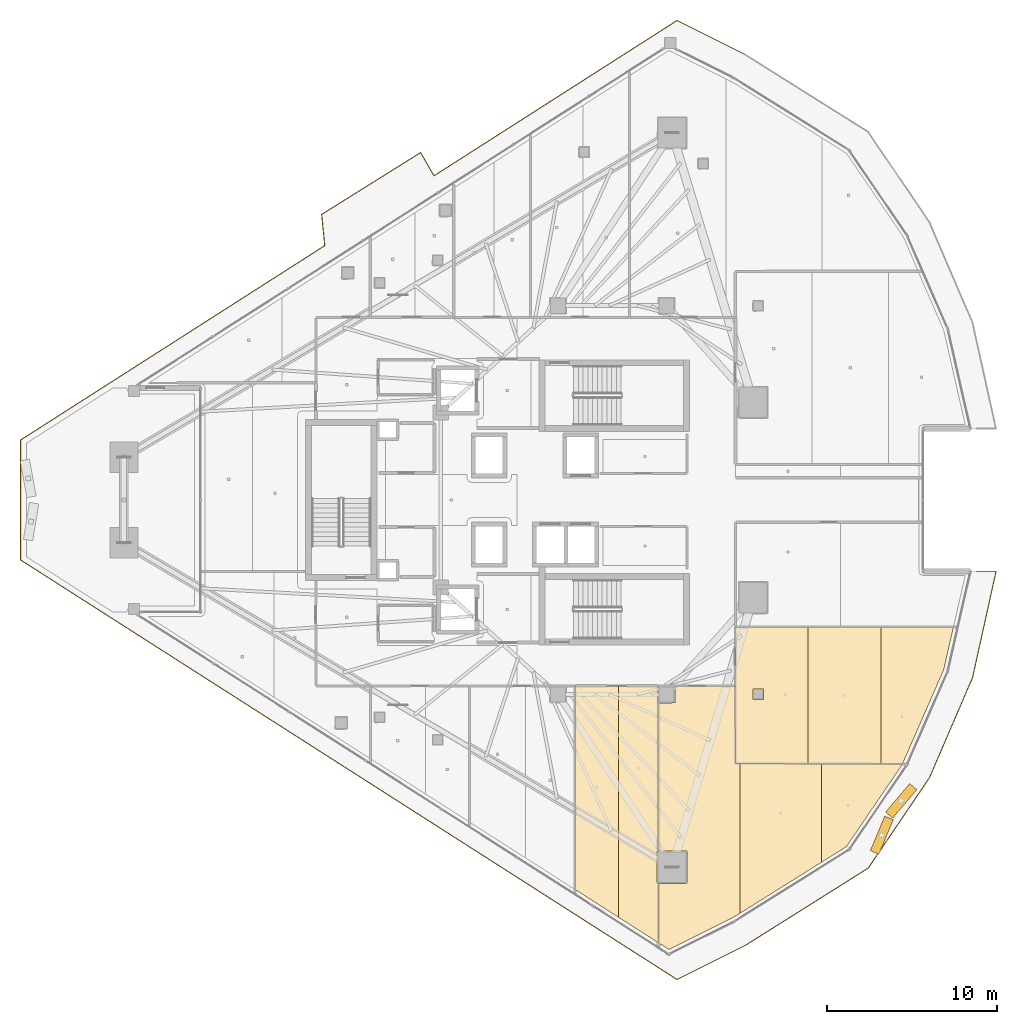
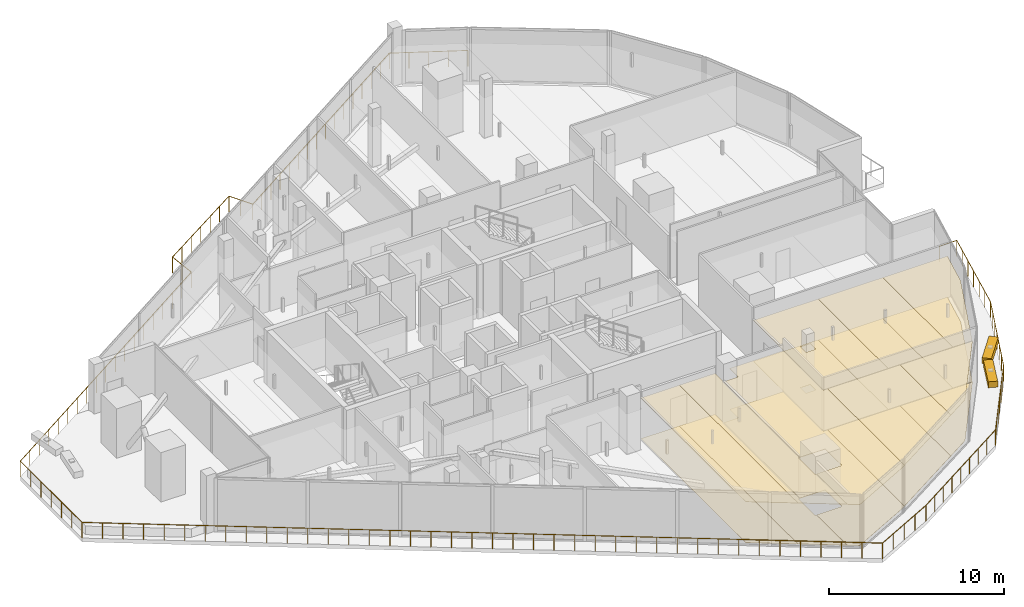
# One storey, part 37 of 40: 16 coverings, 2 shading devices, 1 railing.
"""IFC4 building model written with IfcOpenShell, lengths in metres."""

from ifc_helpers import new_model, si_unit, direction, frame, origin, origin_2d, place, context, subcontext, project, spatial, polyline, rectangle, circle, outline, extrude, material, layer, layer_set, type_object, element, save


model = new_model("IFC4")

# Units and contexts
model_context = context("Model", 3, precision=1e-05, world=origin(), true_north=direction((0.0, 1.0)))
body_context = subcontext(model_context, "Body", "Model", "MODEL_VIEW")
ifc_project = project(units=[si_unit("LENGTHUNIT", "METRE"), si_unit("AREAUNIT", "SQUARE_METRE"), si_unit("VOLUMEUNIT", "CUBIC_METRE"), si_unit("PLANEANGLEUNIT", "RADIAN"), si_unit("MASSUNIT", "GRAM", prefix="KILO")], contexts=[model_context])

# Site, building, storey
site_placement = place(None, origin())
site = spatial("IfcSite", under=ifc_project, at=site_placement, CompositionType="ELEMENT")
building_placement = place(site_placement, origin())
building = spatial("IfcBuilding", under=site, at=building_placement, Name="Qorvath Tower", CompositionType="ELEMENT")
storey_placement = place(building_placement, frame((0.0, 0.0, 225.300048828125)))
storey = spatial("IfcBuildingStorey", under=building, at=storey_placement, Name="L52", CompositionType="ELEMENT", Elevation=225.300048828125)

# Coverings
ifc_material_1 = material(Name="Acoustic mineral fibre ceiling tile", Category="gypsum")
ifc_layer_1 = layer(ifc_material_1, 0.030029296875)
ifc_layer_set_1 = layer_set([ifc_layer_1], Name="COV-CEIL")
covering_type_1 = type_object("IfcCoveringType", Name="COV-CEIL", PredefinedType="CEILING", material=ifc_layer_set_1)
covering_1_placement = place(storey_placement, frame((0.0, 0.0, 2.849853515625)))
element("IfcCovering", 1, at=covering_1_placement, inside=storey, type_object=covering_type_1, Name="L52 Suspended Acoustic Ceiling 025", PredefinedType="CEILING", context=body_context, shape_type="SweptSolid", body=[
    extrude(outline(polyline([(-20.04345703125, -24.574951171875), (-20.04345703125, -10.962890625), (-22.573974609375, -10.962890625), (-22.573974609375, -22.95751953125), (-20.04345703125, -24.574951171875)])), origin(), (0.0, 0.0, 1.0), 0.030029296875),
])
covering_2_placement = place(storey_placement, frame((0.0, 0.0, 2.849853515625)))
element("IfcCovering", 2, at=covering_2_placement, inside=storey, type_object=covering_type_1, Name="L52 Suspended Acoustic Ceiling 026", PredefinedType="CEILING", context=body_context, shape_type="SweptSolid", body=[
    extrude(outline(polyline([(-17.69677734375, -20.6669921875), (-17.694580078125, -10.962890625), (-20.04345703125, -10.962890625), (-20.04345703125, -24.574951171875), (-17.680908203125, -26.0849609375), (-17.680908203125, -22.587158203125), (-17.756591796875, -22.527099609375), (-17.756591796875, -20.72705078125), (-17.69677734375, -20.6669921875)])), origin(), (0.0, 0.0, 1.0), 0.030029296875),
])
covering_3_placement = place(storey_placement, frame((0.0, 0.0, 2.849853515625)))
element("IfcCovering", 3, at=covering_3_placement, inside=storey, type_object=covering_type_1, Name="L52 Suspended Acoustic Ceiling 027", PredefinedType="CEILING", context=body_context, shape_type="SweptSolid", body=[
    extrude(outline(polyline([(-17.662841796875, -26.096435546875), (-17.0595703125, -26.482177734375), (-13.141845703125, -24.517333984375), (-12.87109375, -24.347900390625), (-12.87109375, -15.5341796875), (-13.14990234375, -15.53369140625), (-13.155029296875, -10.962890625), (-16.705322265625, -10.962890625), (-16.70751953125, -11.9423828125), (-17.662841796875, -11.95458984375), (-17.662841796875, -20.6669921875), (-16.00439453125, -20.6845703125), (-15.98681640625, -22.527099609375), (-16.046630859375, -22.587158203125), (-17.662841796875, -22.587158203125), (-17.662841796875, -26.096435546875)])), origin(), (0.0, 0.0, 1.0), 0.030029296875),
])
covering_4_placement = place(storey_placement, frame((0.0, 0.0, 2.849853515625)))
element("IfcCovering", 4, at=covering_4_placement, inside=storey, type_object=covering_type_1, Name="L52 Suspended Acoustic Ceiling 028", PredefinedType="CEILING", context=body_context, shape_type="SweptSolid", body=[
    extrude(outline(polyline([(-12.87109375, -15.5341796875), (-12.87109375, -24.347900390625), (-8.0791015625, -21.34765625), (-8.0791015625, -15.5419921875), (-12.87109375, -15.5341796875)])), origin(), (0.0, 0.0, 1.0), 0.030029296875),
])
covering_5_placement = place(storey_placement, frame((0.0, 0.0, 2.849853515625)))
element("IfcCovering", 5, at=covering_5_placement, inside=storey, type_object=covering_type_1, Name="L52 Suspended Acoustic Ceiling 029", PredefinedType="CEILING", context=body_context, shape_type="SweptSolid", body=[
    extrude(outline(polyline([(-8.0791015625, -15.5419921875), (-8.0791015625, -21.34765625), (-6.59765625, -20.419921875), (-3.287353515625, -15.550048828125), (-8.0791015625, -15.5419921875)])), origin(), (0.0, 0.0, 1.0), 0.030029296875),
])
covering_6_placement = place(storey_placement, frame((0.0, 0.0, 2.849853515625)))
element("IfcCovering", 6, at=covering_6_placement, inside=storey, type_object=covering_type_1, Name="L52 Suspended Acoustic Ceiling 030", PredefinedType="CEILING", context=body_context, shape_type="SweptSolid", body=[
    extrude(outline(polyline([(-13.136962890625, -15.515869140625), (-8.857177734375, -15.522705078125), (-8.857177734375, -7.48583984375), (-13.136962890625, -7.48583984375), (-13.136962890625, -15.515869140625)]), holes=[polyline([(-12.117431640625, -11.767333984375), (-12.117431640625, -11.132568359375), (-11.482666015625, -11.132568359375), (-11.482666015625, -11.767333984375), (-12.117431640625, -11.767333984375)])]), origin(), (0.0, 0.0, 1.0), 0.030029296875),
])
covering_7_placement = place(storey_placement, frame((0.0, 0.0, 2.849853515625)))
element("IfcCovering", 7, at=covering_7_placement, inside=storey, type_object=covering_type_1, Name="L52 Suspended Acoustic Ceiling 031", PredefinedType="CEILING", context=body_context, shape_type="SweptSolid", body=[
    extrude(outline(polyline([(-8.857177734375, -7.48583984375), (-8.857177734375, -15.522705078125), (-4.57763671875, -15.52978515625), (-4.57763671875, -7.48583984375), (-8.857177734375, -7.48583984375)])), origin(), (0.0, 0.0, 1.0), 0.030029296875),
])
covering_8_placement = place(storey_placement, frame((0.0, 0.0, 2.849853515625)))
element("IfcCovering", 8, at=covering_8_placement, inside=storey, type_object=covering_type_1, Name="L52 Suspended Acoustic Ceiling 032", PredefinedType="CEILING", context=body_context, shape_type="SweptSolid", body=[
    extrude(outline(polyline([(-4.57763671875, -7.48583984375), (-4.57763671875, -15.52978515625), (-3.292724609375, -15.531982421875), (-0.86962890625, -9.998291015625), (-0.2978515625, -7.48583984375), (-4.57763671875, -7.48583984375)])), origin(), (0.0, 0.0, 1.0), 0.030029296875),
])
ifc_material_2 = material(Name="Low-VOC modular carpet tile", Category="textile")
ifc_layer_2 = layer(ifc_material_2, 0.014892578125)
ifc_layer_set_2 = layer_set([ifc_layer_2], Name="COV-FLOOR-CPT")
covering_type_2 = type_object("IfcCoveringType", Name="COV-FLOOR-CPT", PredefinedType="FLOORING", material=ifc_layer_set_2)
covering_9_placement = place(storey_placement, origin())
element("IfcCovering", 9, at=covering_9_placement, inside=storey, type_object=covering_type_2, Name="L52 Floor Finish 025", PredefinedType="FLOORING", context=body_context, shape_type="SweptSolid", body=[
    extrude(outline(polyline([(-20.04345703125, -24.574951171875), (-20.04345703125, -10.962890625), (-22.573974609375, -10.962890625), (-22.573974609375, -22.95751953125), (-20.04345703125, -24.574951171875)])), origin(), (0.0, 0.0, 1.0), 0.014892578125),
])
covering_10_placement = place(storey_placement, origin())
element("IfcCovering", 10, at=covering_10_placement, inside=storey, type_object=covering_type_2, Name="L52 Floor Finish 026", PredefinedType="FLOORING", context=body_context, shape_type="SweptSolid", body=[
    extrude(outline(polyline([(-17.69677734375, -20.6669921875), (-17.694580078125, -10.962890625), (-20.04345703125, -10.962890625), (-20.04345703125, -24.574951171875), (-17.680908203125, -26.0849609375), (-17.680908203125, -22.587158203125), (-17.756591796875, -22.527099609375), (-17.756591796875, -20.72705078125), (-17.69677734375, -20.6669921875)])), origin(), (0.0, 0.0, 1.0), 0.014892578125),
])
covering_11_placement = place(storey_placement, origin())
element("IfcCovering", 11, at=covering_11_placement, inside=storey, type_object=covering_type_2, Name="L52 Floor Finish 027", PredefinedType="FLOORING", context=body_context, shape_type="SweptSolid", body=[
    extrude(outline(polyline([(-17.662841796875, -26.096435546875), (-17.0595703125, -26.482177734375), (-13.141845703125, -24.517333984375), (-12.87109375, -24.347900390625), (-12.87109375, -15.5341796875), (-13.14990234375, -15.53369140625), (-13.155029296875, -10.962890625), (-16.705322265625, -10.962890625), (-16.70751953125, -11.9423828125), (-17.662841796875, -11.95458984375), (-17.662841796875, -20.6669921875), (-16.00439453125, -20.6845703125), (-15.98681640625, -22.527099609375), (-16.046630859375, -22.587158203125), (-17.662841796875, -22.587158203125), (-17.662841796875, -26.096435546875)])), origin(), (0.0, 0.0, 1.0), 0.014892578125),
])
covering_12_placement = place(storey_placement, origin())
element("IfcCovering", 12, at=covering_12_placement, inside=storey, type_object=covering_type_2, Name="L52 Floor Finish 028", PredefinedType="FLOORING", context=body_context, shape_type="SweptSolid", body=[
    extrude(outline(polyline([(-12.87109375, -15.5341796875), (-12.87109375, -24.347900390625), (-8.0791015625, -21.34765625), (-8.0791015625, -15.5419921875), (-12.87109375, -15.5341796875)])), origin(), (0.0, 0.0, 1.0), 0.014892578125),
])
covering_13_placement = place(storey_placement, origin())
element("IfcCovering", 13, at=covering_13_placement, inside=storey, type_object=covering_type_2, Name="L52 Floor Finish 029", PredefinedType="FLOORING", context=body_context, shape_type="SweptSolid", body=[
    extrude(outline(polyline([(-8.0791015625, -15.5419921875), (-8.0791015625, -21.34765625), (-6.59765625, -20.419921875), (-3.287353515625, -15.550048828125), (-8.0791015625, -15.5419921875)])), origin(), (0.0, 0.0, 1.0), 0.014892578125),
])
covering_14_placement = place(storey_placement, origin())
element("IfcCovering", 14, at=covering_14_placement, inside=storey, type_object=covering_type_2, Name="L52 Floor Finish 030", PredefinedType="FLOORING", context=body_context, shape_type="SweptSolid", body=[
    extrude(outline(polyline([(-13.136962890625, -15.515869140625), (-8.857177734375, -15.522705078125), (-8.857177734375, -7.48583984375), (-13.136962890625, -7.48583984375), (-13.136962890625, -15.515869140625)]), holes=[polyline([(-12.117431640625, -11.767333984375), (-12.117431640625, -11.132568359375), (-11.482666015625, -11.132568359375), (-11.482666015625, -11.767333984375), (-12.117431640625, -11.767333984375)])]), origin(), (0.0, 0.0, 1.0), 0.014892578125),
])
covering_15_placement = place(storey_placement, origin())
element("IfcCovering", 15, at=covering_15_placement, inside=storey, type_object=covering_type_2, Name="L52 Floor Finish 031", PredefinedType="FLOORING", context=body_context, shape_type="SweptSolid", body=[
    extrude(outline(polyline([(-8.857177734375, -7.48583984375), (-8.857177734375, -15.522705078125), (-4.57763671875, -15.52978515625), (-4.57763671875, -7.48583984375), (-8.857177734375, -7.48583984375)])), origin(), (0.0, 0.0, 1.0), 0.014892578125),
])
covering_16_placement = place(storey_placement, origin())
element("IfcCovering", 16, at=covering_16_placement, inside=storey, type_object=covering_type_2, Name="L52 Floor Finish 032", PredefinedType="FLOORING", context=body_context, shape_type="SweptSolid", body=[
    extrude(outline(polyline([(-4.57763671875, -7.48583984375), (-4.57763671875, -15.52978515625), (-3.292724609375, -15.531982421875), (-0.86962890625, -9.998291015625), (-0.2978515625, -7.48583984375), (-4.57763671875, -7.48583984375)])), origin(), (0.0, 0.0, 1.0), 0.014892578125),
])

# Railing
ifc_material_3 = material(Name="Laminated safety glass and stainless steel AISI 316", Category="steel")
railing_type = type_object("IfcRailingType", Name="RL-EXT-GRD", PredefinedType="GUARDRAIL", material=ifc_material_3)
railing_placement = place(storey_placement, frame((1.0625, -4.19580078125, 0.0)))
element("IfcRailing", 17, at=railing_placement, inside=storey, type_object=railing_type, Name="Loggia Perimeter Guardrail L52-1.2", PredefinedType="GUARDRAIL", context=body_context, shape_type="SweptSolid", body=[
    extrude(circle(Radius=0.02392578125, at=origin_2d()), frame((0.0, 0.0, 1.09619140625), z_axis=(1.0, 0.0, 0.0), x_axis=(0.0, 1.0, 0.0)), (0.0, 0.0, 1.0), 1.15869140625),
    extrude(circle(Radius=0.02392578125, at=origin_2d()), frame((1.15869140625, 0.0, 1.09619140625), z_axis=(-0.216097540883, -0.976371780023, 0.0), x_axis=(0.976371780023, -0.216097540883, 0.0)), (0.0, 0.0, 1.0), 6.425048828125),
    extrude(circle(Radius=0.02392578125, at=origin_2d()), frame((-0.229736328125, -6.273193359375, 1.09619140625), z_axis=(-0.395477939394, -0.918475475695, 0.0), x_axis=(0.918475475695, -0.395477939394, 0.0)), (0.0, 0.0, 1.0), 6.42529296875),
    extrude(circle(Radius=0.02392578125, at=origin_2d()), frame((-2.770751953125, -12.174560546875, 1.09619140625), z_axis=(-0.560814537223, -0.827941456166, 0.0), x_axis=(0.827941456166, -0.560814537223, 0.0)), (0.0, 0.0, 1.0), 6.425048828125),
    extrude(circle(Radius=0.02392578125, at=origin_2d()), frame((-6.3740234375, -17.494140625, 1.09619140625), z_axis=(-0.846500423706, -0.532388047072, 0.0), x_axis=(0.532388047072, -0.846500423706, 0.0)), (0.0, 0.0, 1.0), 8.544189453125),
    extrude(circle(Radius=0.02392578125, at=origin_2d()), frame((-13.606689453125, -22.04296875, 1.09619140625), z_axis=(-0.894427191, -0.4472135955, 0.0), x_axis=(0.4472135955, -0.894427191, 0.0)), (0.0, 0.0, 1.0), 4.51318359375),
    extrude(circle(Radius=0.02392578125, at=origin_2d()), frame((-17.643310546875, -24.061279296875, 1.09619140625), z_axis=(-0.842606446122, 0.538529829215, 0.0), x_axis=(-0.538529829215, -0.842606446122, 0.0)), (0.0, 0.0, 1.0), 45.911865234375),
    extrude(circle(Radius=0.02392578125, at=origin_2d()), frame((-56.328857421875, 0.66357421875, 1.09619140625), z_axis=(0.0, 1.0, 0.0), x_axis=(-1.0, 0.0, 0.0)), (0.0, 0.0, 1.0), 7.064453125),
    extrude(circle(Radius=0.02392578125, at=origin_2d()), frame((-56.328857421875, 7.72802734375, 1.09619140625), z_axis=(0.842605129906, 0.538531888616, 0.0), x_axis=(-0.538531888616, 0.842605129906, 0.0)), (0.0, 0.0, 1.0), 21.273681640625),
    extrude(circle(Radius=0.02392578125, at=origin_2d()), frame((-38.403564453125, 19.1845703125, 1.09619140625), z_axis=(-0.098889310229, 0.995098439514, 0.0), x_axis=(-0.995098439514, -0.098889310229, 0.0)), (0.0, 0.0, 1.0), 1.84912109375),
    extrude(circle(Radius=0.02392578125, at=origin_2d()), frame((-38.58642578125, 21.024658203125, 1.09619140625), z_axis=(0.848042108762, 0.529928845946, 0.0), x_axis=(-0.529928845946, 0.848042108762, 0.0)), (0.0, 0.0, 1.0), 6.887939453125),
    extrude(circle(Radius=0.02392578125, at=origin_2d()), frame((-32.7451171875, 24.6748046875, 1.09619140625), z_axis=(0.494624814975, -0.869106605895, 0.0), x_axis=(0.869106605895, 0.494624814975, 0.0)), (0.0, 0.0, 1.0), 1.5810546875),
    extrude(circle(Radius=0.02392578125, at=origin_2d()), frame((-31.963134765625, 23.30078125, 1.09619140625), z_axis=(0.842607535069, 0.538528125399, 0.0), x_axis=(-0.538528125399, 0.842607535069, 0.0)), (0.0, 0.0, 1.0), 16.99462890625),
    extrude(circle(Radius=0.02392578125, at=origin_2d()), frame((-17.643310546875, 32.452880859375, 1.09619140625), z_axis=(0.894427191, -0.4472135955, 0.0), x_axis=(0.4472135955, 0.894427191, 0.0)), (0.0, 0.0, 1.0), 4.51318359375),
    extrude(circle(Radius=0.02099609375, at=origin_2d()), origin(), (0.0, 0.0, 1.0), 1.072021484375),
    extrude(circle(Radius=0.02099609375, at=origin_2d()), frame((1.15869140625, 0.0, 0.0)), (0.0, 0.0, 1.0), 1.072021484375),
    extrude(circle(Radius=0.02099609375, at=origin_2d()), frame((0.92724609375, -1.04541015625, 0.0)), (0.0, 0.0, 1.0), 1.072021484375),
    extrude(circle(Radius=0.02099609375, at=origin_2d()), frame((0.69580078125, -2.091064453125, 0.0)), (0.0, 0.0, 1.0), 1.072021484375),
    extrude(circle(Radius=0.02099609375, at=origin_2d()), frame((0.46435546875, -3.13671875, 0.0)), (0.0, 0.0, 1.0), 1.072021484375),
    extrude(circle(Radius=0.02099609375, at=origin_2d()), frame((0.233154296875, -4.18212890625, 0.0)), (0.0, 0.0, 1.0), 1.072021484375),
    extrude(circle(Radius=0.02099609375, at=origin_2d()), frame((0.001708984375, -5.2275390625, 0.0)), (0.0, 0.0, 1.0), 1.072021484375),
    extrude(circle(Radius=0.02099609375, at=origin_2d()), frame((-0.229736328125, -6.273193359375, 0.0)), (0.0, 0.0, 1.0), 1.072021484375),
    extrude(circle(Radius=0.02099609375, at=origin_2d()), frame((-0.6533203125, -7.2568359375, 0.0)), (0.0, 0.0, 1.0), 1.072021484375),
    extrude(circle(Radius=0.02099609375, at=origin_2d()), frame((-1.07666015625, -8.240234375, 0.0)), (0.0, 0.0, 1.0), 1.072021484375),
    extrude(circle(Radius=0.02099609375, at=origin_2d()), frame((-1.500244140625, -9.223876953125, 0.0)), (0.0, 0.0, 1.0), 1.072021484375),
    extrude(circle(Radius=0.02099609375, at=origin_2d()), frame((-1.923828125, -10.20751953125, 0.0)), (0.0, 0.0, 1.0), 1.072021484375),
    extrude(circle(Radius=0.02099609375, at=origin_2d()), frame((-2.34716796875, -11.19091796875, 0.0)), (0.0, 0.0, 1.0), 1.072021484375),
    extrude(circle(Radius=0.02099609375, at=origin_2d()), frame((-2.770751953125, -12.174560546875, 0.0)), (0.0, 0.0, 1.0), 1.072021484375),
    extrude(circle(Radius=0.02099609375, at=origin_2d()), frame((-3.371337890625, -13.06103515625, 0.0)), (0.0, 0.0, 1.0), 1.072021484375),
    extrude(circle(Radius=0.02099609375, at=origin_2d()), frame((-3.971923828125, -13.94775390625, 0.0)), (0.0, 0.0, 1.0), 1.072021484375),
    extrude(circle(Radius=0.02099609375, at=origin_2d()), frame((-4.572265625, -14.83447265625, 0.0)), (0.0, 0.0, 1.0), 1.072021484375),
    extrude(circle(Radius=0.02099609375, at=origin_2d()), frame((-5.1728515625, -15.720947265625, 0.0)), (0.0, 0.0, 1.0), 1.072021484375),
    extrude(circle(Radius=0.02099609375, at=origin_2d()), frame((-5.7734375, -16.607421875, 0.0)), (0.0, 0.0, 1.0), 1.072021484375),
    extrude(circle(Radius=0.02099609375, at=origin_2d()), frame((-6.3740234375, -17.494140625, 0.0)), (0.0, 0.0, 1.0), 1.072021484375),
    extrude(circle(Radius=0.02099609375, at=origin_2d()), frame((-7.278076171875, -18.062744140625, 0.0)), (0.0, 0.0, 1.0), 1.072021484375),
    extrude(circle(Radius=0.02099609375, at=origin_2d()), frame((-8.18212890625, -18.63134765625, 0.0)), (0.0, 0.0, 1.0), 1.072021484375),
    extrude(circle(Radius=0.02099609375, at=origin_2d()), frame((-9.086181640625, -19.199951171875, 0.0)), (0.0, 0.0, 1.0), 1.072021484375),
    extrude(circle(Radius=0.02099609375, at=origin_2d()), frame((-9.990234375, -19.7685546875, 0.0)), (0.0, 0.0, 1.0), 1.072021484375),
    extrude(circle(Radius=0.02099609375, at=origin_2d()), frame((-10.89453125, -20.337158203125, 0.0)), (0.0, 0.0, 1.0), 1.072021484375),
    extrude(circle(Radius=0.02099609375, at=origin_2d()), frame((-11.798583984375, -20.90576171875, 0.0)), (0.0, 0.0, 1.0), 1.072021484375),
    extrude(circle(Radius=0.02099609375, at=origin_2d()), frame((-12.70263671875, -21.474365234375, 0.0)), (0.0, 0.0, 1.0), 1.072021484375),
    extrude(circle(Radius=0.02099609375, at=origin_2d()), frame((-13.606689453125, -22.04296875, 0.0)), (0.0, 0.0, 1.0), 1.072021484375),
    extrude(circle(Radius=0.02099609375, at=origin_2d()), frame((-14.61572265625, -22.547607421875, 0.0)), (0.0, 0.0, 1.0), 1.072021484375),
    extrude(circle(Radius=0.02099609375, at=origin_2d()), frame((-15.625, -23.05224609375, 0.0)), (0.0, 0.0, 1.0), 1.072021484375),
    extrude(circle(Radius=0.02099609375, at=origin_2d()), frame((-16.63427734375, -23.556640625, 0.0)), (0.0, 0.0, 1.0), 1.072021484375),
    extrude(circle(Radius=0.02099609375, at=origin_2d()), frame((-17.643310546875, -24.061279296875, 0.0)), (0.0, 0.0, 1.0), 1.072021484375),
    extrude(circle(Radius=0.02099609375, at=origin_2d()), frame((-18.63525390625, -23.42724609375, 0.0)), (0.0, 0.0, 1.0), 1.072021484375),
    extrude(circle(Radius=0.02099609375, at=origin_2d()), frame((-19.627197265625, -22.79345703125, 0.0)), (0.0, 0.0, 1.0), 1.072021484375),
    extrude(circle(Radius=0.02099609375, at=origin_2d()), frame((-20.619140625, -22.159423828125, 0.0)), (0.0, 0.0, 1.0), 1.072021484375),
    extrude(circle(Radius=0.02099609375, at=origin_2d()), frame((-21.611083984375, -21.525390625, 0.0)), (0.0, 0.0, 1.0), 1.072021484375),
    extrude(circle(Radius=0.02099609375, at=origin_2d()), frame((-22.60302734375, -20.891357421875, 0.0)), (0.0, 0.0, 1.0), 1.072021484375),
    extrude(circle(Radius=0.02099609375, at=origin_2d()), frame((-23.594970703125, -20.257568359375, 0.0)), (0.0, 0.0, 1.0), 1.072021484375),
    extrude(circle(Radius=0.02099609375, at=origin_2d()), frame((-24.5869140625, -19.62353515625, 0.0)), (0.0, 0.0, 1.0), 1.072021484375),
    extrude(circle(Radius=0.02099609375, at=origin_2d()), frame((-25.578857421875, -18.989501953125, 0.0)), (0.0, 0.0, 1.0), 1.072021484375),
    extrude(circle(Radius=0.02099609375, at=origin_2d()), frame((-26.57080078125, -18.35546875, 0.0)), (0.0, 0.0, 1.0), 1.072021484375),
    extrude(circle(Radius=0.02099609375, at=origin_2d()), frame((-27.562744140625, -17.7216796875, 0.0)), (0.0, 0.0, 1.0), 1.072021484375),
    extrude(circle(Radius=0.02099609375, at=origin_2d()), frame((-28.5546875, -17.087646484375, 0.0)), (0.0, 0.0, 1.0), 1.072021484375),
    extrude(circle(Radius=0.02099609375, at=origin_2d()), frame((-29.546630859375, -16.45361328125, 0.0)), (0.0, 0.0, 1.0), 1.072021484375),
    extrude(circle(Radius=0.02099609375, at=origin_2d()), frame((-30.53857421875, -15.819580078125, 0.0)), (0.0, 0.0, 1.0), 1.072021484375),
    extrude(circle(Radius=0.02099609375, at=origin_2d()), frame((-31.530517578125, -15.185791015625, 0.0)), (0.0, 0.0, 1.0), 1.072021484375),
    extrude(circle(Radius=0.02099609375, at=origin_2d()), frame((-32.5224609375, -14.5517578125, 0.0)), (0.0, 0.0, 1.0), 1.072021484375),
    extrude(circle(Radius=0.02099609375, at=origin_2d()), frame((-33.514404296875, -13.917724609375, 0.0)), (0.0, 0.0, 1.0), 1.072021484375),
    extrude(circle(Radius=0.02099609375, at=origin_2d()), frame((-34.50634765625, -13.28369140625, 0.0)), (0.0, 0.0, 1.0), 1.072021484375),
    extrude(circle(Radius=0.02099609375, at=origin_2d()), frame((-35.498291015625, -12.64990234375, 0.0)), (0.0, 0.0, 1.0), 1.072021484375),
    extrude(circle(Radius=0.02099609375, at=origin_2d()), frame((-36.490234375, -12.015869140625, 0.0)), (0.0, 0.0, 1.0), 1.072021484375),
    extrude(circle(Radius=0.02099609375, at=origin_2d()), frame((-37.48193359375, -11.3818359375, 0.0)), (0.0, 0.0, 1.0), 1.072021484375),
    extrude(circle(Radius=0.02099609375, at=origin_2d()), frame((-38.473876953125, -10.747802734375, 0.0)), (0.0, 0.0, 1.0), 1.072021484375),
    extrude(circle(Radius=0.02099609375, at=origin_2d()), frame((-39.4658203125, -10.114013671875, 0.0)), (0.0, 0.0, 1.0), 1.072021484375),
    extrude(circle(Radius=0.02099609375, at=origin_2d()), frame((-40.457763671875, -9.47998046875, 0.0)), (0.0, 0.0, 1.0), 1.072021484375),
    extrude(circle(Radius=0.02099609375, at=origin_2d()), frame((-41.44970703125, -8.845947265625, 0.0)), (0.0, 0.0, 1.0), 1.072021484375),
    extrude(circle(Radius=0.02099609375, at=origin_2d()), frame((-42.441650390625, -8.2119140625, 0.0)), (0.0, 0.0, 1.0), 1.072021484375),
    extrude(circle(Radius=0.02099609375, at=origin_2d()), frame((-43.43359375, -7.578125, 0.0)), (0.0, 0.0, 1.0), 1.072021484375),
    extrude(circle(Radius=0.02099609375, at=origin_2d()), frame((-44.425537109375, -6.944091796875, 0.0)), (0.0, 0.0, 1.0), 1.072021484375),
    extrude(circle(Radius=0.02099609375, at=origin_2d()), frame((-45.41748046875, -6.31005859375, 0.0)), (0.0, 0.0, 1.0), 1.072021484375),
    extrude(circle(Radius=0.02099609375, at=origin_2d()), frame((-46.409423828125, -5.676025390625, 0.0)), (0.0, 0.0, 1.0), 1.072021484375),
    extrude(circle(Radius=0.02099609375, at=origin_2d()), frame((-47.4013671875, -5.042236328125, 0.0)), (0.0, 0.0, 1.0), 1.072021484375),
    extrude(circle(Radius=0.02099609375, at=origin_2d()), frame((-48.393310546875, -4.408203125, 0.0)), (0.0, 0.0, 1.0), 1.072021484375),
    extrude(circle(Radius=0.02099609375, at=origin_2d()), frame((-49.38525390625, -3.774169921875, 0.0)), (0.0, 0.0, 1.0), 1.072021484375),
    extrude(circle(Radius=0.02099609375, at=origin_2d()), frame((-50.377197265625, -3.14013671875, 0.0)), (0.0, 0.0, 1.0), 1.072021484375),
    extrude(circle(Radius=0.02099609375, at=origin_2d()), frame((-51.369140625, -2.50634765625, 0.0)), (0.0, 0.0, 1.0), 1.072021484375),
    extrude(circle(Radius=0.02099609375, at=origin_2d()), frame((-52.361083984375, -1.872314453125, 0.0)), (0.0, 0.0, 1.0), 1.072021484375),
    extrude(circle(Radius=0.02099609375, at=origin_2d()), frame((-53.35302734375, -1.23828125, 0.0)), (0.0, 0.0, 1.0), 1.072021484375),
    extrude(circle(Radius=0.02099609375, at=origin_2d()), frame((-54.344970703125, -0.604248046875, 0.0)), (0.0, 0.0, 1.0), 1.072021484375),
    extrude(circle(Radius=0.02099609375, at=origin_2d()), frame((-55.3369140625, 0.029541015625, 0.0)), (0.0, 0.0, 1.0), 1.072021484375),
    extrude(circle(Radius=0.02099609375, at=origin_2d()), frame((-56.328857421875, 0.66357421875, 0.0)), (0.0, 0.0, 1.0), 1.072021484375),
    extrude(circle(Radius=0.02099609375, at=origin_2d()), frame((-56.328857421875, 1.841064453125, 0.0)), (0.0, 0.0, 1.0), 1.072021484375),
    extrude(circle(Radius=0.02099609375, at=origin_2d()), frame((-56.328857421875, 3.018310546875, 0.0)), (0.0, 0.0, 1.0), 1.072021484375),
    extrude(circle(Radius=0.02099609375, at=origin_2d()), frame((-56.328857421875, 4.19580078125, 0.0)), (0.0, 0.0, 1.0), 1.072021484375),
    extrude(circle(Radius=0.02099609375, at=origin_2d()), frame((-56.328857421875, 5.373291015625, 0.0)), (0.0, 0.0, 1.0), 1.072021484375),
    extrude(circle(Radius=0.02099609375, at=origin_2d()), frame((-56.328857421875, 6.550537109375, 0.0)), (0.0, 0.0, 1.0), 1.072021484375),
    extrude(circle(Radius=0.02099609375, at=origin_2d()), frame((-56.328857421875, 7.72802734375, 0.0)), (0.0, 0.0, 1.0), 1.072021484375),
    extrude(circle(Radius=0.02099609375, at=origin_2d()), frame((-55.3330078125, 8.364501953125, 0.0)), (0.0, 0.0, 1.0), 1.072021484375),
    extrude(circle(Radius=0.02099609375, at=origin_2d()), frame((-54.337158203125, 9.0009765625, 0.0)), (0.0, 0.0, 1.0), 1.072021484375),
    extrude(circle(Radius=0.02099609375, at=origin_2d()), frame((-53.34130859375, 9.637451171875, 0.0)), (0.0, 0.0, 1.0), 1.072021484375),
    extrude(circle(Radius=0.02099609375, at=origin_2d()), frame((-52.345458984375, 10.27392578125, 0.0)), (0.0, 0.0, 1.0), 1.072021484375),
    extrude(circle(Radius=0.02099609375, at=origin_2d()), frame((-51.349609375, 10.910400390625, 0.0)), (0.0, 0.0, 1.0), 1.072021484375),
    extrude(circle(Radius=0.02099609375, at=origin_2d()), frame((-50.353759765625, 11.546875, 0.0)), (0.0, 0.0, 1.0), 1.072021484375),
    extrude(circle(Radius=0.02099609375, at=origin_2d()), frame((-49.35791015625, 12.183349609375, 0.0)), (0.0, 0.0, 1.0), 1.072021484375),
    extrude(circle(Radius=0.02099609375, at=origin_2d()), frame((-48.362060546875, 12.81982421875, 0.0)), (0.0, 0.0, 1.0), 1.072021484375),
    extrude(circle(Radius=0.02099609375, at=origin_2d()), frame((-47.3662109375, 13.456298828125, 0.0)), (0.0, 0.0, 1.0), 1.072021484375),
    extrude(circle(Radius=0.02099609375, at=origin_2d()), frame((-46.370361328125, 14.0927734375, 0.0)), (0.0, 0.0, 1.0), 1.072021484375),
    extrude(circle(Radius=0.02099609375, at=origin_2d()), frame((-45.37451171875, 14.729248046875, 0.0)), (0.0, 0.0, 1.0), 1.072021484375),
    extrude(circle(Radius=0.02099609375, at=origin_2d()), frame((-44.378662109375, 15.36572265625, 0.0)), (0.0, 0.0, 1.0), 1.072021484375),
    extrude(circle(Radius=0.02099609375, at=origin_2d()), frame((-43.3828125, 16.002197265625, 0.0)), (0.0, 0.0, 1.0), 1.072021484375),
    extrude(circle(Radius=0.02099609375, at=origin_2d()), frame((-42.386962890625, 16.638671875, 0.0)), (0.0, 0.0, 1.0), 1.072021484375),
    extrude(circle(Radius=0.02099609375, at=origin_2d()), frame((-41.39111328125, 17.275146484375, 0.0)), (0.0, 0.0, 1.0), 1.072021484375),
    extrude(circle(Radius=0.02099609375, at=origin_2d()), frame((-40.395263671875, 17.91162109375, 0.0)), (0.0, 0.0, 1.0), 1.072021484375),
    extrude(circle(Radius=0.02099609375, at=origin_2d()), frame((-39.3994140625, 18.548095703125, 0.0)), (0.0, 0.0, 1.0), 1.072021484375),
    extrude(circle(Radius=0.02099609375, at=origin_2d()), frame((-38.403564453125, 19.1845703125, 0.0)), (0.0, 0.0, 1.0), 1.072021484375),
    extrude(circle(Radius=0.02099609375, at=origin_2d()), frame((-38.4951171875, 20.1044921875, 0.0)), (0.0, 0.0, 1.0), 1.072021484375),
    extrude(circle(Radius=0.02099609375, at=origin_2d()), frame((-38.58642578125, 21.024658203125, 0.0)), (0.0, 0.0, 1.0), 1.072021484375),
    extrude(circle(Radius=0.02099609375, at=origin_2d()), frame((-37.61279296875, 21.633056640625, 0.0)), (0.0, 0.0, 1.0), 1.072021484375),
    extrude(circle(Radius=0.02099609375, at=origin_2d()), frame((-36.639404296875, 22.241455078125, 0.0)), (0.0, 0.0, 1.0), 1.072021484375),
    extrude(circle(Radius=0.02099609375, at=origin_2d()), frame((-35.665771484375, 22.849609375, 0.0)), (0.0, 0.0, 1.0), 1.072021484375),
    extrude(circle(Radius=0.02099609375, at=origin_2d()), frame((-34.692138671875, 23.4580078125, 0.0)), (0.0, 0.0, 1.0), 1.072021484375),
    extrude(circle(Radius=0.02099609375, at=origin_2d()), frame((-33.71875, 24.06640625, 0.0)), (0.0, 0.0, 1.0), 1.072021484375),
    extrude(circle(Radius=0.02099609375, at=origin_2d()), frame((-32.7451171875, 24.6748046875, 0.0)), (0.0, 0.0, 1.0), 1.072021484375),
    extrude(circle(Radius=0.02099609375, at=origin_2d()), frame((-32.35400390625, 23.98779296875, 0.0)), (0.0, 0.0, 1.0), 1.072021484375),
    extrude(circle(Radius=0.02099609375, at=origin_2d()), frame((-31.963134765625, 23.30078125, 0.0)), (0.0, 0.0, 1.0), 1.072021484375),
    extrude(circle(Radius=0.02099609375, at=origin_2d()), frame((-31.008544921875, 23.910888671875, 0.0)), (0.0, 0.0, 1.0), 1.072021484375),
    extrude(circle(Radius=0.02099609375, at=origin_2d()), frame((-30.0537109375, 24.52099609375, 0.0)), (0.0, 0.0, 1.0), 1.072021484375),
    extrude(circle(Radius=0.02099609375, at=origin_2d()), frame((-29.09912109375, 25.131103515625, 0.0)), (0.0, 0.0, 1.0), 1.072021484375),
    extrude(circle(Radius=0.02099609375, at=origin_2d()), frame((-28.14453125, 25.741455078125, 0.0)), (0.0, 0.0, 1.0), 1.072021484375),
    extrude(circle(Radius=0.02099609375, at=origin_2d()), frame((-27.18994140625, 26.3515625, 0.0)), (0.0, 0.0, 1.0), 1.072021484375),
    extrude(circle(Radius=0.02099609375, at=origin_2d()), frame((-26.235107421875, 26.961669921875, 0.0)), (0.0, 0.0, 1.0), 1.072021484375),
    extrude(circle(Radius=0.02099609375, at=origin_2d()), frame((-25.280517578125, 27.57177734375, 0.0)), (0.0, 0.0, 1.0), 1.072021484375),
    extrude(circle(Radius=0.02099609375, at=origin_2d()), frame((-24.325927734375, 28.181884765625, 0.0)), (0.0, 0.0, 1.0), 1.072021484375),
    extrude(circle(Radius=0.02099609375, at=origin_2d()), frame((-23.371337890625, 28.7919921875, 0.0)), (0.0, 0.0, 1.0), 1.072021484375),
    extrude(circle(Radius=0.02099609375, at=origin_2d()), frame((-22.41650390625, 29.402099609375, 0.0)), (0.0, 0.0, 1.0), 1.072021484375),
    extrude(circle(Radius=0.02099609375, at=origin_2d()), frame((-21.4619140625, 30.01220703125, 0.0)), (0.0, 0.0, 1.0), 1.072021484375),
    extrude(circle(Radius=0.02099609375, at=origin_2d()), frame((-20.50732421875, 30.62255859375, 0.0)), (0.0, 0.0, 1.0), 1.072021484375),
    extrude(circle(Radius=0.02099609375, at=origin_2d()), frame((-19.552734375, 31.232666015625, 0.0)), (0.0, 0.0, 1.0), 1.072021484375),
    extrude(circle(Radius=0.02099609375, at=origin_2d()), frame((-18.597900390625, 31.8427734375, 0.0)), (0.0, 0.0, 1.0), 1.072021484375),
    extrude(circle(Radius=0.02099609375, at=origin_2d()), frame((-17.643310546875, 32.452880859375, 0.0)), (0.0, 0.0, 1.0), 1.072021484375),
    extrude(circle(Radius=0.02099609375, at=origin_2d()), frame((-16.63427734375, 31.9482421875, 0.0)), (0.0, 0.0, 1.0), 1.072021484375),
    extrude(circle(Radius=0.02099609375, at=origin_2d()), frame((-15.625, 31.44384765625, 0.0)), (0.0, 0.0, 1.0), 1.072021484375),
    extrude(circle(Radius=0.02099609375, at=origin_2d()), frame((-14.61572265625, 30.939208984375, 0.0)), (0.0, 0.0, 1.0), 1.072021484375),
    extrude(circle(Radius=0.02099609375, at=origin_2d()), frame((-13.606689453125, 30.4345703125, 0.0)), (0.0, 0.0, 1.0), 1.072021484375),
])

# Shading devices
ifc_material_4 = material(Name="Anodised bronze-champagne aluminium", Category="aluminium")
shading_device_type = type_object("IfcShadingDeviceType", Name="SD-LOUVRE", PredefinedType="JALOUSIE", material=ifc_material_4)
for number, where, z_axis, x_axis, name in (
    (18, (-4.517578125, -19.74462890625, 3.360107421875), (0.0, 0.0, 1.0), (0.384891425634, 0.92296185754, 0.0), "Sinusoidal Wave Louvre Blade L52-03"),
    (19, (-3.37548828125, -17.724365234375, 3.360107421875), (0.0, 0.0, 1.0), (0.647030677663, 0.76246396778, 0.0), "Sinusoidal Wave Louvre Blade L52-04"),
):
    element("IfcShadingDevice", number, at=place(storey_placement, frame(where, z_axis=z_axis, x_axis=x_axis)), inside=storey, type_object=shading_device_type, Name=name, PredefinedType="NOTDEFINED", context=body_context, shape_type="SweptSolid", body=[
        extrude(rectangle(XDim=2.199951171875, YDim=0.550048828125, at=origin_2d()), origin(), (0.0, 0.0, 1.0), 0.419921875),
    ])

save(model, "model.ifc")
